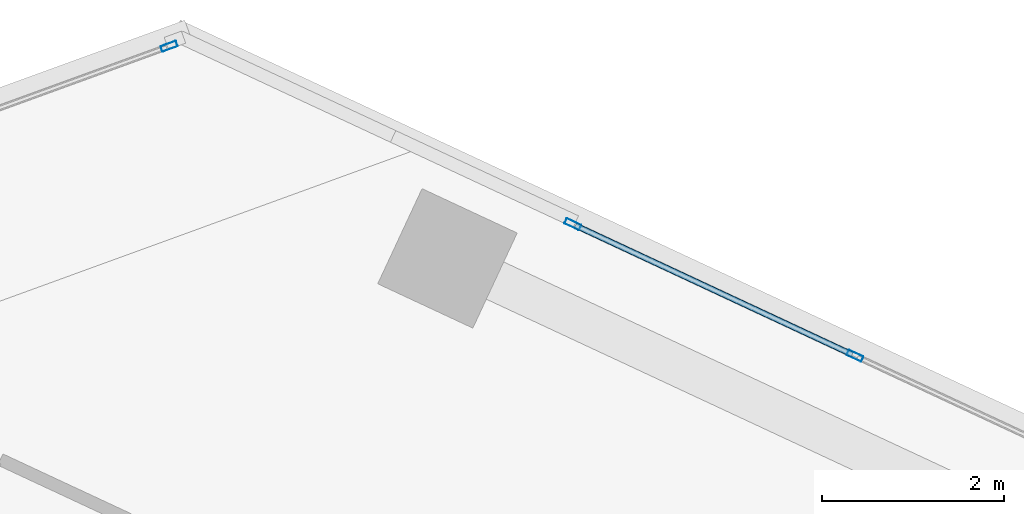
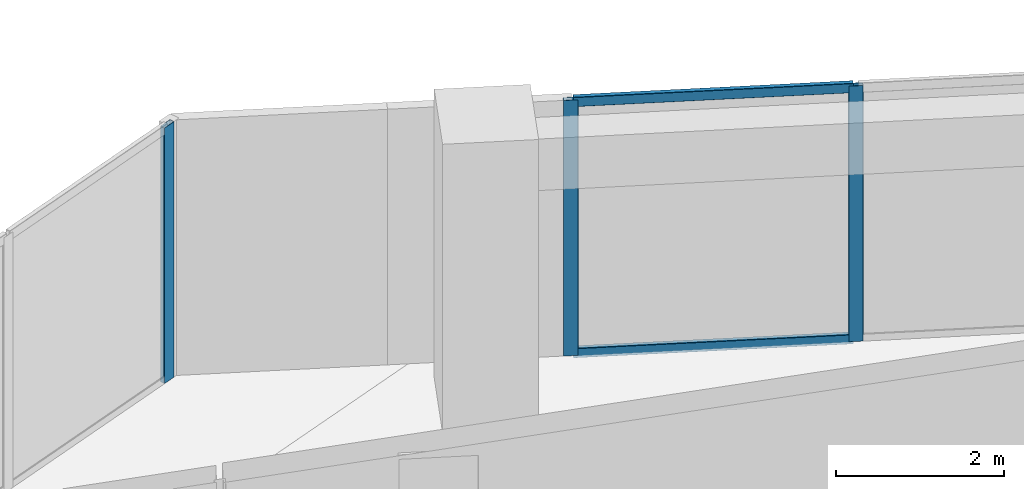
# One storey, part 14 of 23: 5 members, 2 elements without a shape of their own.
"""IFC4 building model written with IfcOpenShell, lengths in metres."""

from ifc_helpers import new_model, si_unit, direction, frame, origin, origin_2d, place, context, subcontext, project, spatial, hollow_rectangle, extrude, source, transform, mapped, material, material_profile, profile_set, type_object, element, aggregate, save


model = new_model("IFC4")

# Units and contexts
model_context = context("Model", 3, precision=1e-05, world=origin(), true_north=direction((0.0, 1.0)))
body_context = subcontext(model_context, "Body", "Model", "MODEL_VIEW")
ifc_project = project(units=[si_unit("LENGTHUNIT", "METRE"), si_unit("AREAUNIT", "SQUARE_METRE"), si_unit("VOLUMEUNIT", "CUBIC_METRE"), si_unit("PLANEANGLEUNIT", "RADIAN"), si_unit("MASSUNIT", "GRAM", prefix="KILO")], contexts=[model_context])

# Site, building, storey
site_placement = place(None, origin())
site = spatial("IfcSite", under=ifc_project, at=site_placement, CompositionType="ELEMENT")
building_placement = place(site_placement, origin())
building = spatial("IfcBuilding", under=site, at=building_placement, Name="Torre Montelarca", CompositionType="ELEMENT")
storey_placement = place(building_placement, frame((0.0, 0.0, 154.0)))
storey = spatial("IfcBuildingStorey", under=building, at=storey_placement, Name="L34", CompositionType="ELEMENT", Elevation=154.0)

# Curtain wall, members
ifc_material_1 = material(Name="Insulated low-E laminated glass", Category="glass")
curtain_wall_type = type_object("IfcCurtainWallType", Name="CW-SYS-Z2", PredefinedType="USERDEFINED", material=ifc_material_1)
curtain_wall_1_placement = place(storey_placement, origin())
curtain_wall_1 = element("IfcCurtainWall", 1, at=curtain_wall_1_placement, inside=storey, type_object=curtain_wall_type, Name="L34 Curtain Wall Run CW-T3-L34-E08-B4", ObjectType="UNITISED GLAZING", PredefinedType="USERDEFINED")
ifc_material_2 = material(Name="Anodised aluminium AA 6063-T6", Category="aluminium")
ifc_material_profile_1 = material_profile(ifc_material_2, hollow_rectangle(XDim=0.06494140625, YDim=0.179931640625, WallThickness=0.00390625, InnerFilletRadius=0.00390625, OuterFilletRadius=0.008056640625, at=origin_2d()), Name="ALU65X180X4", Category="aluminium")
ifc_profile_set_1 = profile_set([ifc_material_profile_1], Name="Anodised aluminium AA 6063-T6")
member_type_1 = type_object("IfcMemberType", Name="CWM-ALU180", PredefinedType="MULLION", material=ifc_profile_set_1)
shared_shape_1 = source(origin(), body_context, "Body", "SweptSolid", [
    extrude(hollow_rectangle(XDim=0.06494140625, YDim=0.179931640625, WallThickness=0.00390625, InnerFilletRadius=0.00390625, OuterFilletRadius=0.008056640625, at=origin_2d()), origin(), (0.0, 0.0, 1.0), 3.719970703125),
])
member_1_placement = place(storey_placement, frame((21.041015625, 49.9453125, 0.0), z_axis=(0.0, 0.0, 1.0), x_axis=(-0.422605767873, -0.906313612918, 0.0)))
member_1 = element("IfcMember", 2, at=member_1_placement, type_object=member_type_1, Name="CW mullion 2", PredefinedType="MULLION", context=body_context, shape_type="MappedRepresentation", body=[
    mapped(shared_shape_1, transform((0.0, 0.0, 0.0), scale=1.0)),
])
member_2_placement = place(storey_placement, frame((17.9482421875, 51.387451171875, 0.0), z_axis=(0.0, 0.0, 1.0), x_axis=(-0.422605767873, -0.906313612918, 0.0)))
member_2 = element("IfcMember", 3, at=member_2_placement, type_object=member_type_1, Name="CW mullion 3", PredefinedType="MULLION", context=body_context, shape_type="MappedRepresentation", body=[
    mapped(shared_shape_1, transform((0.0, 0.0, 0.0), scale=1.0)),
])

# Curtain wall, member
curtain_wall_2_placement = place(storey_placement, origin())
curtain_wall_2 = element("IfcCurtainWall", 4, at=curtain_wall_2_placement, inside=storey, type_object=curtain_wall_type, Name="L34 Curtain Wall Run CW-T3-L34-E09-B1", ObjectType="UNITISED GLAZING", PredefinedType="USERDEFINED")
member_3_placement = place(storey_placement, frame((13.522216796875, 53.338623046875, 0.0), z_axis=(0.0, 0.0, 1.0), x_axis=(0.342021244323, -0.939692220055, 0.0)))
member_3 = element("IfcMember", 5, at=member_3_placement, type_object=member_type_1, Name="CW mullion 1", PredefinedType="MULLION", context=body_context, shape_type="MappedRepresentation", body=[
    mapped(shared_shape_1, transform((0.0, 0.0, 0.0), scale=1.0)),
])
aggregate(curtain_wall_2, [member_3])

# Member
ifc_material_profile_2 = material_profile(ifc_material_2, hollow_rectangle(XDim=0.06494140625, YDim=0.139892578125, WallThickness=0.00390625, InnerFilletRadius=0.00390625, OuterFilletRadius=0.008056640625, at=origin_2d()), Name="ALU65X140X4", Category="aluminium")
ifc_profile_set_2 = profile_set([ifc_material_profile_2], Name="Anodised aluminium AA 6063-T6")
member_type_2 = type_object("IfcMemberType", Name="CWT-ALU140", PredefinedType="USERDEFINED", material=ifc_profile_set_2)
shared_shape_2 = source(origin(), body_context, "Body", "SweptSolid", [
    extrude(hollow_rectangle(XDim=0.06494140625, YDim=0.139892578125, WallThickness=0.00390625, InnerFilletRadius=0.00390625, OuterFilletRadius=0.008056640625, at=origin_2d()), origin(), (0.0, 0.0, 1.0), 3.34765625),
])
member_4_placement = place(storey_placement, frame((21.011474609375, 49.958984375, 0.032470703125), z_axis=(-0.906302347344, 0.422629927003, 0.0), x_axis=(-0.422629927003, -0.906302347344, 0.0)))
member_4 = element("IfcMember", 6, at=member_4_placement, type_object=member_type_2, Name="CW transom 2.1", ObjectType="TRANSOM", PredefinedType="USERDEFINED", context=body_context, shape_type="MappedRepresentation", body=[
    mapped(shared_shape_2, transform((0.0, 0.0, 0.0), scale=1.0)),
])

member_5_placement = place(storey_placement, frame((21.011474609375, 49.958984375, 3.6875), z_axis=(-0.906302347344, 0.422629927003, 0.0), x_axis=(-0.422629927003, -0.906302347344, 0.0)))
member_5 = element("IfcMember", 7, at=member_5_placement, type_object=member_type_2, Name="CW transom 2.2", ObjectType="TRANSOM", PredefinedType="USERDEFINED", context=body_context, shape_type="MappedRepresentation", body=[
    mapped(shared_shape_2, transform((0.0, 0.0, 0.0), scale=1.0)),
])

aggregate(curtain_wall_1, [member_1, member_2, member_4, member_5])

save(model, "model.ifc")
